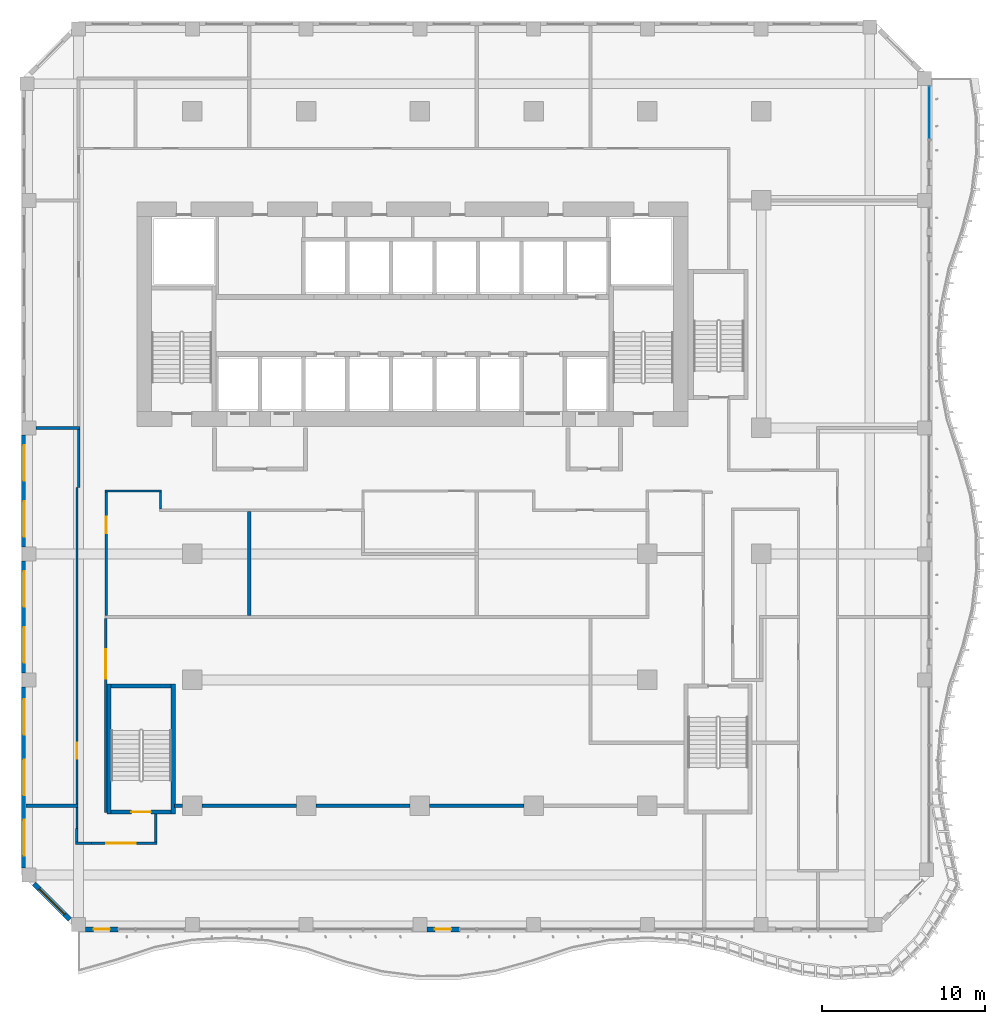
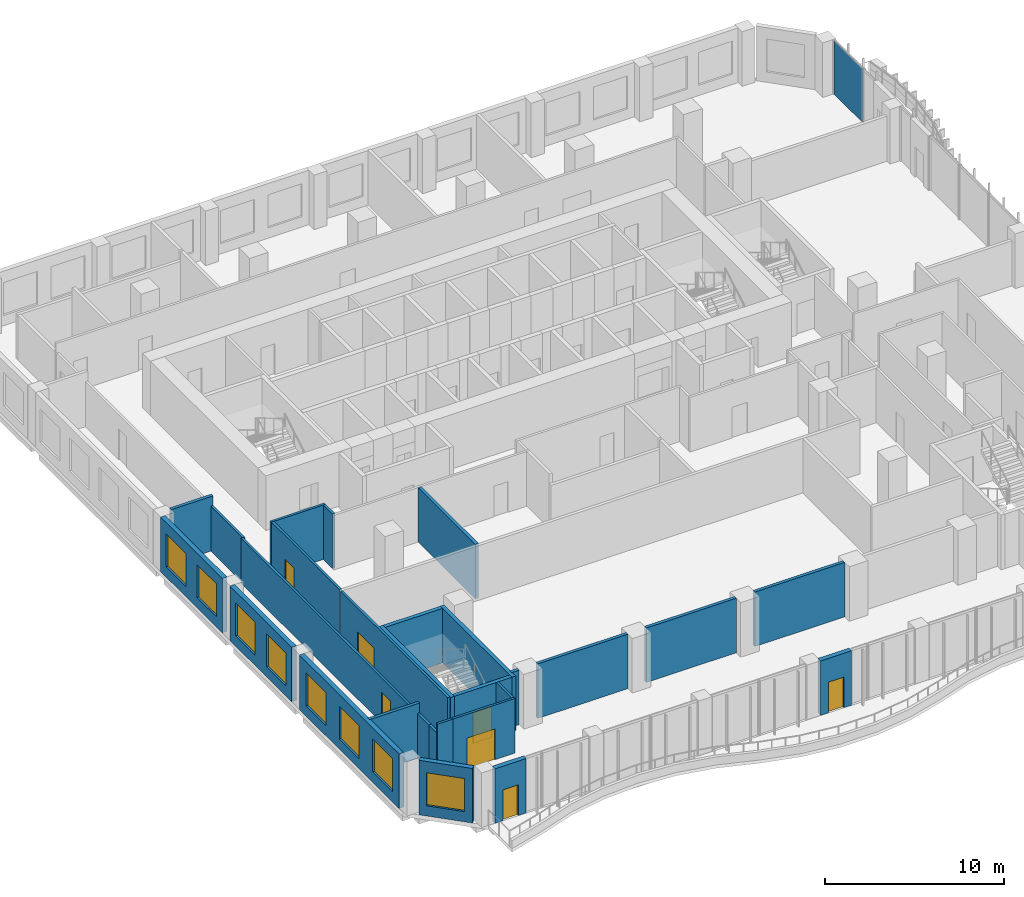
# One storey, part 12 of 27: 28 walls, 8 windows, 7 doors, 1 plate, 15 openings, 1 element without a shape of its own.
"""IFC4 building model written with IfcOpenShell, lengths in metres."""

from ifc_helpers import new_model, si_unit, direction, frame, frame_2d, origin, origin_2d, place, context, subcontext, project, spatial, rectangle, extrude, source, transform, mapped, material, layer, layer_set, type_object, element, fill, aggregate, save


model = new_model("IFC4")

# Units and contexts
model_context = context("Model", 3, precision=1e-05, world=origin(), true_north=direction((0.0, 1.0)))
body_context = subcontext(model_context, "Body", "Model", "MODEL_VIEW")
ifc_project = project(units=[si_unit("LENGTHUNIT", "METRE"), si_unit("AREAUNIT", "SQUARE_METRE"), si_unit("VOLUMEUNIT", "CUBIC_METRE"), si_unit("PLANEANGLEUNIT", "RADIAN"), si_unit("MASSUNIT", "GRAM", prefix="KILO")], contexts=[model_context])

# Site, building, storey
site_placement = place(None, origin())
site = spatial("IfcSite", under=ifc_project, at=site_placement, CompositionType="ELEMENT")
building_placement = place(site_placement, origin())
building = spatial("IfcBuilding", under=site, at=building_placement, Name="Kilnfold Tower and Market Hall", CompositionType="ELEMENT")
storey_placement = place(building_placement, frame((0.0, 0.0, 116.60009765625)))
storey = spatial("IfcBuildingStorey", under=building, at=storey_placement, Name="L27", CompositionType="ELEMENT", Elevation=116.60009765625)

# Curtain wall, plate
ifc_material_1 = material(Name="Aluminium and double glazing", Category="aluminium")
curtain_wall_type = type_object("IfcCurtainWallType", Name="CW OF2 VALLEY GLAZING", PredefinedType="NOTDEFINED", material=ifc_material_1)
curtain_wall_placement = place(storey_placement, origin())
curtain_wall = element("IfcCurtainWall", 1, at=curtain_wall_placement, inside=storey, type_object=curtain_wall_type, Name="Curtain wall CW2 L27 E", PredefinedType="NOTDEFINED")
ifc_material_2 = material(Name="Double glazed unit")
ifc_layer_1 = layer(ifc_material_2, 0.031982421875)
ifc_layer_set_1 = layer_set([ifc_layer_1], Name="Double glazed unit")
plate_type = type_object("IfcPlateType", Name="GLAZING PANEL 32", PredefinedType="CURTAIN_PANEL", material=ifc_layer_set_1)
shared_shape_1 = source(origin(), body_context, "Body", "SweptSolid", [
    extrude(rectangle(XDim=3.205078125, YDim=0.031982421875, at=origin_2d()), origin(), (0.0, 0.0, 1.0), 3.659912109375),
])
plate_placement = place(storey_placement, frame((32.85009765625, 27.41259765625, 0.0), z_axis=(0.0, 0.0, 1.0), x_axis=(0.0, 1.0, 0.0)))
plate = element("IfcPlate", 2, at=plate_placement, type_object=plate_type, Name="CW2 panel 1.1", PredefinedType="CURTAIN_PANEL", context=body_context, shape_type="MappedRepresentation", body=[
    mapped(shared_shape_1, transform((0.0, 0.0, 0.0))),
])
aggregate(curtain_wall, [plate])

# Wall, opening, door
ifc_material_3 = material(Name="Gypsum board on steel studs", Category="steel")
ifc_layer_2 = layer(ifc_material_3, 0.14990234375)
ifc_layer_set_2 = layer_set([ifc_layer_2], Name="Gypsum board on steel studs")
wall_type_1 = type_object("IfcWallType", Name="WALL CORRIDOR 150", PredefinedType="PARTITIONING", material=ifc_layer_set_2)
wall_1_placement = place(storey_placement, frame((-19.60009765625, -15.159912109375, 0.0), z_axis=(0.0, 0.0, 1.0), x_axis=(0.0, 1.0, 0.0)))
wall_1 = element("IfcWall", 3, at=wall_1_placement, inside=storey, type_object=wall_type_1, Name="Partition LY17.1", PredefinedType="PARTITIONING", context=body_context, shape_type="SweptSolid", body=[
    extrude(rectangle(XDim=19.510009765625, YDim=0.14990234375, at=frame_2d((9.7548828125, 0.0))), origin(), (0.0, 0.0, 1.0), 3.06982421875),
])
opening_1_placement = place(wall_1_placement, frame((2.801025390625, 0.0, 0.0)))
opening_1 = element("IfcOpeningElement", 4, at=opening_1_placement, cuts=wall_1, Name="Opening D1", PredefinedType="OPENING", context=body_context, shape_type="SweptSolid", body=[
    extrude(rectangle(XDim=1.0, YDim=2.10009765625, at=frame_2d((0.5, 1.050048828125))), frame((0.0, 0.0849609375, 0.0), z_axis=(0.0, -1.0, 0.0), x_axis=(1.0, 0.0, 0.0)), (0.0, 0.0, 1.0), 0.169921875),
])
ifc_material_4 = material(Name="Timber veneer door leaf in steel frame", Category="steel")
door_type_1 = type_object("IfcDoorType", Name="DOOR ENTRY 1000 X2100", OperationType="NOTDEFINED", PredefinedType="DOOR", material=ifc_material_4)
door_1_placement = place(opening_1_placement, origin())
door_1 = element("IfcDoor", 5, at=door_1_placement, inside=storey, type_object=door_type_1, Name="Door D1", OperationType="SINGLE_SWING_RIGHT", OverallHeight=2.10009765625, OverallWidth=1.0, PredefinedType="DOOR", context=body_context, shape_type="SweptSolid", body=[
    extrude(rectangle(XDim=1.0, YDim=2.10009765625, at=frame_2d((0.5, 1.050048828125))), frame((0.0, 0.02490234375, 0.0), z_axis=(0.0, -1.0, 0.0), x_axis=(1.0, 0.0, 0.0)), (0.0, 0.0, 1.0), 0.050048828125),
])
fill(opening_1, door_1)

# Walls
wall_2_placement = place(storey_placement, frame((-19.5, 4.35009765625, 0.0), z_axis=(0.0, 0.0, 1.0), x_axis=(0.0, 1.0, 0.0)))
element("IfcWall", 6, at=wall_2_placement, inside=storey, type_object=wall_type_1, Name="Partition LY17.2", PredefinedType="PARTITIONING", context=body_context, shape_type="SweptSolid", body=[
    extrude(rectangle(XDim=3.559814453125, YDim=0.14990234375, at=frame_2d((1.77978515625, 0.0))), origin(), (0.0, 0.0, 1.0), 3.06982421875),
])
wall_3_placement = place(storey_placement, frame((-14.4599609375, 4.050048828125, 0.0), z_axis=(0.0, 0.0, 1.0), x_axis=(0.0, -1.0, 0.0)))
element("IfcWall", 7, at=wall_3_placement, inside=storey, type_object=wall_type_1, Name="Partition LY17.4", PredefinedType="PARTITIONING", context=body_context, shape_type="SweptSolid", body=[
    extrude(rectangle(XDim=1.025146484375, YDim=0.14990234375, at=frame_2d((0.5126953125, 0.0))), origin(), (0.0, 0.0, 1.0), 3.719970703125),
])
wall_4_placement = place(storey_placement, frame((-17.875, 4.125, 0.0), z_axis=(0.0, 0.0, 1.0), x_axis=(1.0, 0.0, 0.0)))
element("IfcWall", 8, at=wall_4_placement, inside=storey, type_object=wall_type_1, Name="Partition LY17.5", PredefinedType="PARTITIONING", context=body_context, shape_type="SweptSolid", body=[
    extrude(rectangle(XDim=3.489990234375, YDim=0.14990234375, at=frame_2d((1.7451171875, 0.0))), origin(), (0.0, 0.0, 1.0), 3.719970703125),
])

# Wall, opening, door
wall_5_placement = place(storey_placement, frame((-17.800048828125, -3.534912109375, 0.0), z_axis=(0.0, 0.0, 1.0), x_axis=(0.0, 1.0, 0.0)))
wall_5 = element("IfcWall", 9, at=wall_5_placement, inside=storey, type_object=wall_type_1, Name="Partition LY17.6", PredefinedType="PARTITIONING", context=body_context, shape_type="SweptSolid", body=[
    extrude(rectangle(XDim=7.5849609375, YDim=0.14990234375, at=frame_2d((3.79248046875, 0.0))), origin(), (0.0, 0.0, 1.0), 3.719970703125),
])
opening_2_placement = place(wall_5_placement, frame((5.06689453125, 0.0, 0.0)))
opening_2 = element("IfcOpeningElement", 10, at=opening_2_placement, cuts=wall_5, Name="Opening D1", PredefinedType="OPENING", context=body_context, shape_type="SweptSolid", body=[
    extrude(rectangle(XDim=1.0, YDim=2.10009765625, at=frame_2d((0.5, 1.050048828125))), frame((0.0, 0.0849609375, 0.0), z_axis=(0.0, -1.0, 0.0), x_axis=(1.0, 0.0, 0.0)), (0.0, 0.0, 1.0), 0.169921875),
])
door_2_placement = place(opening_2_placement, origin())
door_2 = element("IfcDoor", 11, at=door_2_placement, inside=storey, type_object=door_type_1, Name="Door D1", OperationType="SINGLE_SWING_LEFT", OverallHeight=2.10009765625, OverallWidth=1.0, PredefinedType="DOOR", context=body_context, shape_type="SweptSolid", body=[
    extrude(rectangle(XDim=1.0, YDim=2.10009765625, at=frame_2d((0.5, 1.050048828125))), frame((0.0, 0.02490234375, 0.0), z_axis=(0.0, -1.0, 0.0), x_axis=(1.0, 0.0, 0.0)), (0.0, 0.0, 1.0), 0.050048828125),
])
fill(opening_2, door_2)

wall_6_placement = place(storey_placement, frame((-17.830078125, -15.675048828125, 0.0), z_axis=(0.0, 0.0, 1.0), x_axis=(0.0, 1.0, 0.0)))
wall_6 = element("IfcWall", 12, at=wall_6_placement, inside=storey, type_object=wall_type_1, Name="Partition LY17.7", PredefinedType="PARTITIONING", context=body_context, shape_type="SweptSolid", body=[
    extrude(rectangle(XDim=11.9599609375, YDim=0.14990234375, at=frame_2d((5.97998046875, 0.0))), origin(), (0.0, 0.0, 1.0), 3.719970703125),
])
opening_3_placement = place(wall_6_placement, frame((8.2490234375, 0.0, 0.0)))
opening_3 = element("IfcOpeningElement", 13, at=opening_3_placement, cuts=wall_6, Name="Opening D5", PredefinedType="OPENING", context=body_context, shape_type="SweptSolid", body=[
    extrude(rectangle(XDim=1.800048828125, YDim=2.10009765625, at=frame_2d((0.89990234375, 1.050048828125))), frame((0.0, 0.0849609375, 0.0), z_axis=(0.0, -1.0, 0.0), x_axis=(1.0, 0.0, 0.0)), (0.0, 0.0, 1.0), 0.169921875),
])
ifc_material_5 = material(Name="Timber veneer door leaf in steel frame", Category="steel")
door_type_2 = type_object("IfcDoorType", Name="DOOR DOUBLE 1800 X2100", OperationType="NOTDEFINED", PredefinedType="DOOR", material=ifc_material_5)
door_3_placement = place(opening_3_placement, origin())
door_3 = element("IfcDoor", 14, at=door_3_placement, inside=storey, type_object=door_type_2, Name="Door D5", OperationType="DOUBLE_DOOR_SINGLE_SWING", OverallHeight=2.10009765625, OverallWidth=1.800048828125, PredefinedType="DOOR", context=body_context, shape_type="SweptSolid", body=[
    extrude(rectangle(XDim=1.800048828125, YDim=2.10009765625, at=frame_2d((0.89990234375, 1.050048828125))), frame((0.0, 0.02490234375, 0.0), z_axis=(0.0, -1.0, 0.0), x_axis=(1.0, 0.0, 0.0)), (0.0, 0.0, 1.0), 0.050048828125),
])
fill(opening_3, door_3)

# Walls
wall_7_placement = place(storey_placement, frame((-19.60009765625, -16.64794921875, 0.0), z_axis=(0.0, 0.0, 1.0), x_axis=(0.0, 1.0, 0.0)))
element("IfcWall", 15, at=wall_7_placement, inside=storey, type_object=wall_type_1, Name="Partition LY17.8", PredefinedType="PARTITIONING", context=body_context, shape_type="SweptSolid", body=[
    extrude(rectangle(XDim=1.307861328125, YDim=0.14990234375, at=frame_2d((0.65380859375, 0.0))), origin(), (0.0, 0.0, 1.0), 3.06982421875),
])
wall_8_placement = place(storey_placement, frame((-14.75, -17.47509765625, 0.0), z_axis=(0.0, 0.0, 1.0), x_axis=(0.0, 1.0, 0.0)))
element("IfcWall", 16, at=wall_8_placement, inside=storey, type_object=wall_type_1, Name="Partition LY17.9", PredefinedType="PARTITIONING", context=body_context, shape_type="SweptSolid", body=[
    extrude(rectangle(XDim=1.72509765625, YDim=0.14990234375, at=frame_2d((0.862548828125, 0.0))), origin(), (0.0, 0.0, 1.0), 3.719970703125),
])

# Wall, opening, door
wall_9_placement = place(storey_placement, frame((-18.697998046875, -17.550048828125, 0.0), z_axis=(0.0, 0.0, 1.0), x_axis=(1.0, 0.0, 0.0)))
wall_9 = element("IfcWall", 17, at=wall_9_placement, inside=storey, type_object=wall_type_1, Name="Partition LY17.10", PredefinedType="PARTITIONING", context=body_context, shape_type="SweptSolid", body=[
    extrude(rectangle(XDim=4.02294921875, YDim=0.14990234375, at=frame_2d((2.011474609375, 0.0))), origin(), (0.0, 0.0, 1.0), 3.719970703125),
])
opening_4_placement = place(wall_9_placement, frame((0.908935546875, 0.0, 0.0)))
opening_4 = element("IfcOpeningElement", 18, at=opening_4_placement, cuts=wall_9, Name="Opening D5", PredefinedType="OPENING", context=body_context, shape_type="SweptSolid", body=[
    extrude(rectangle(XDim=1.800048828125, YDim=2.10009765625, at=frame_2d((0.89990234375, 1.050048828125))), frame((0.0, 0.0849609375, 0.0), z_axis=(0.0, -1.0, 0.0), x_axis=(1.0, 0.0, 0.0)), (0.0, 0.0, 1.0), 0.169921875),
])
door_4_placement = place(opening_4_placement, origin())
door_4 = element("IfcDoor", 19, at=door_4_placement, inside=storey, type_object=door_type_2, Name="Door D5", OperationType="DOUBLE_DOOR_SINGLE_SWING", OverallHeight=2.10009765625, OverallWidth=1.800048828125, PredefinedType="DOOR", context=body_context, shape_type="SweptSolid", body=[
    extrude(rectangle(XDim=1.800048828125, YDim=2.10009765625, at=frame_2d((0.89990234375, 1.050048828125))), frame((0.0, 0.02490234375, 0.0), z_axis=(0.0, -1.0, 0.0), x_axis=(1.0, 0.0, 0.0)), (0.0, 0.0, 1.0), 0.050048828125),
])
fill(opening_4, door_4)

# Walls
wall_10_placement = place(storey_placement, frame((-19.677001953125, -17.552001953125, 0.0), z_axis=(0.0, 0.0, 1.0), x_axis=(1.0, 0.0, 0.0)))
element("IfcWall", 20, at=wall_10_placement, inside=storey, type_object=wall_type_1, Name="Partition LY17.11", PredefinedType="PARTITIONING", context=body_context, shape_type="SweptSolid", body=[
    extrude(rectangle(XDim=0.97900390625, YDim=0.14990234375, at=frame_2d((0.489501953125, 0.0))), origin(), (0.0, 0.0, 1.0), 3.719970703125),
])
wall_11_placement = place(storey_placement, frame((-19.60205078125, -16.64794921875, 0.0), z_axis=(0.0, 0.0, 1.0), x_axis=(0.0, -1.0, 0.0)))
element("IfcWall", 21, at=wall_11_placement, inside=storey, type_object=wall_type_1, Name="Partition LY17.12", PredefinedType="PARTITIONING", context=body_context, shape_type="SweptSolid", body=[
    extrude(rectangle(XDim=0.8291015625, YDim=0.14990234375, at=frame_2d((0.41455078125, 0.0))), origin(), (0.0, 0.0, 1.0), 3.06982421875),
])
ifc_material_6 = material(Name="Gypsum board on steel studs", Category="steel")
ifc_layer_3 = layer(ifc_material_6, 0.199951171875)
ifc_layer_set_3 = layer_set([ifc_layer_3], Name="Gypsum board on steel studs")
wall_type_2 = type_object("IfcWallType", Name="WALL PARTY 200", PredefinedType="PARTITIONING", material=ifc_layer_set_3)
wall_12_placement = place(storey_placement, frame((-22.75, -15.25, 0.0), z_axis=(0.0, 0.0, 1.0), x_axis=(1.0, 0.0, 0.0)))
element("IfcWall", 22, at=wall_12_placement, inside=storey, type_object=wall_type_2, Name="Partition LY17.38", PredefinedType="PARTITIONING", context=body_context, shape_type="SweptSolid", body=[
    extrude(rectangle(XDim=3.22412109375, YDim=0.199951171875, at=frame_2d((1.612060546875, 0.0))), origin(), (0.0, 0.0, 1.0), 3.719970703125),
])
wall_13_placement = place(storey_placement, frame((-22.125, 8.0, 0.0), z_axis=(0.0, 0.0, 1.0), x_axis=(1.0, 0.0, 0.0)))
element("IfcWall", 23, at=wall_13_placement, inside=storey, type_object=wall_type_2, Name="Partition LY17.39", PredefinedType="PARTITIONING", context=body_context, shape_type="SweptSolid", body=[
    extrude(rectangle(XDim=2.698974609375, YDim=0.199951171875, at=frame_2d((1.349609375, 0.0))), origin(), (0.0, 0.0, 1.0), 3.719970703125),
])
wall_14_placement = place(storey_placement, frame((-9.0, -3.52490234375, 0.0), z_axis=(0.0, 0.0, 1.0), x_axis=(0.0, 1.0, 0.0)))
element("IfcWall", 24, at=wall_14_placement, inside=storey, type_object=wall_type_2, Name="Partition LY17.41", PredefinedType="PARTITIONING", context=body_context, shape_type="SweptSolid", body=[
    extrude(rectangle(XDim=6.39892578125, YDim=0.199951171875, at=frame_2d((3.199462890625, 0.0))), origin(), (0.0, 0.0, 1.0), 3.719970703125),
])
for number, where, z_axis, x_axis, name in (
    (25, (2.10009765625, -15.25, 0.0), (0.0, 0.0, 1.0), (1.0, 0.0, 0.0), "Partition LY17.44"),
    (26, (-4.89990234375, -15.25, 0.0), (0.0, 0.0, 1.0), (1.0, 0.0, 0.0), "Partition LY17.45"),
    (27, (-11.89990234375, -15.25, 0.0), (0.0, 0.0, 1.0), (1.0, 0.0, 0.0), "Partition LY17.46"),
):
    element("IfcWall", number, at=place(storey_placement, frame(where, z_axis=z_axis, x_axis=x_axis)), inside=storey, type_object=wall_type_2, Name=name, PredefinedType="PARTITIONING", context=body_context, shape_type="SweptSolid", body=[
        extrude(rectangle(XDim=5.7998046875, YDim=0.199951171875, at=frame_2d((2.89990234375, 0.0))), origin(), (0.0, 0.0, 1.0), 3.719970703125),
    ])
wall_15_placement = place(storey_placement, frame((-13.60009765625, -15.25, 0.0), z_axis=(0.0, 0.0, 1.0), x_axis=(1.0, 0.0, 0.0)))
element("IfcWall", 28, at=wall_15_placement, inside=storey, type_object=wall_type_2, Name="Partition LY17.47", PredefinedType="PARTITIONING", context=body_context, shape_type="SweptSolid", body=[
    extrude(rectangle(XDim=0.5, YDim=0.199951171875, at=frame_2d((0.25, 0.0))), origin(), (0.0, 0.0, 1.0), 3.719970703125),
])

# Wall, opening, door
ifc_material_7 = material(Name="Concrete C70", Category="concrete")
ifc_layer_4 = layer(ifc_material_7, 0.25)
ifc_layer_set_4 = layer_set([ifc_layer_4], Name="Concrete C70")
wall_type_3 = type_object("IfcWallType", Name="CORE WALL 250 C70", PredefinedType="SHEAR", material=ifc_layer_set_4)
shared_shape_2 = source(origin(), body_context, "Body", "SweptSolid", [
    extrude(rectangle(XDim=3.699951171875, YDim=0.25, at=frame_2d((1.85009765625, 0.0))), origin(), (0.0, 0.0, 1.0), 3.719970703125),
])
wall_16_placement = place(storey_placement, frame((-17.5, -15.625, 0.0), z_axis=(0.0, 0.0, 1.0), x_axis=(1.0, 0.0, 0.0)))
wall_16 = element("IfcWall", 29, at=wall_16_placement, inside=storey, type_object=wall_type_3, Name="Stair enclosure ST3", PredefinedType="SHEAR", context=body_context, shape_type="MappedRepresentation", body=[
    mapped(shared_shape_2, transform((0.0, 0.0, 0.0))),
])
opening_5_placement = place(wall_16_placement, frame((1.25, 0.0, 0.0)))
opening_5 = element("IfcOpeningElement", 30, at=opening_5_placement, cuts=wall_16, Name="Opening SD1", PredefinedType="OPENING", context=body_context, shape_type="SweptSolid", body=[
    extrude(rectangle(XDim=1.199951171875, YDim=2.10009765625, at=frame_2d((0.60009765625, 1.050048828125))), frame((0.0, 0.135009765625, 0.0), z_axis=(0.0, -1.0, 0.0), x_axis=(1.0, 0.0, 0.0)), (0.0, 0.0, 1.0), 0.27001953125),
])
ifc_material_8 = material(Name="Steel door set with fire-resisting leaf", Category="steel")
door_type_3 = type_object("IfcDoorType", Name="STAIR FLOOR DOOR 1200X2100", OperationType="NOTDEFINED", PredefinedType="DOOR", material=ifc_material_8)
door_5_placement = place(opening_5_placement, origin())
door_5 = element("IfcDoor", 31, at=door_5_placement, inside=storey, type_object=door_type_3, Name="Exit stair ST3 door", OperationType="DOUBLE_DOOR_SINGLE_SWING", OverallHeight=2.10009765625, OverallWidth=1.199951171875, PredefinedType="DOOR", context=body_context, shape_type="SweptSolid", body=[
    extrude(rectangle(XDim=1.199951171875, YDim=2.10009765625, at=frame_2d((0.60009765625, 1.050048828125))), frame((0.0, 0.02490234375, 0.0), z_axis=(0.0, -1.0, 0.0), x_axis=(1.0, 0.0, 0.0)), (0.0, 0.0, 1.0), 0.050048828125),
])
fill(opening_5, door_5)

# Walls
wall_17_placement = place(storey_placement, frame((-17.5, -7.875, 0.0), z_axis=(0.0, 0.0, 1.0), x_axis=(1.0, 0.0, 0.0)))
element("IfcWall", 32, at=wall_17_placement, inside=storey, type_object=wall_type_3, Name="Stair enclosure ST3", PredefinedType="SHEAR", context=body_context, shape_type="MappedRepresentation", body=[
    mapped(shared_shape_2, transform((0.0, 0.0, 0.0))),
])
shared_shape_3 = source(origin(), body_context, "Body", "SweptSolid", [
    extrude(rectangle(XDim=8.0, YDim=0.25, at=frame_2d((4.0, 0.0))), origin(), (0.0, 0.0, 1.0), 3.719970703125),
])
for number, where, z_axis, x_axis, name in (
    (33, (-17.625, -15.75, 0.0), (0.0, 0.0, 1.0), (0.0, 1.0, 0.0), "Stair enclosure ST3"),
    (34, (-13.675048828125, -15.75, 0.0), (0.0, 0.0, 1.0), (0.0, 1.0, 0.0), "Stair enclosure ST3"),
):
    element("IfcWall", number, at=place(storey_placement, frame(where, z_axis=z_axis, x_axis=x_axis)), inside=storey, type_object=wall_type_3, Name=name, PredefinedType="SHEAR", context=body_context, shape_type="MappedRepresentation", body=[
        mapped(shared_shape_3, transform((0.0, 0.0, 0.0))),
    ])

# Wall, opening, door
ifc_material_9 = material(Name="Precast concrete C50/60", Category="concrete")
ifc_layer_5 = layer(ifc_material_9, 0.300048828125)
ifc_layer_set_5 = layer_set([ifc_layer_5], Name="Precast concrete C50/60")
wall_type_4 = type_object("IfcWallType", Name="PRECAST WALL 300", PredefinedType="SOLIDWALL", material=ifc_layer_set_5)
shared_shape_4 = source(origin(), body_context, "Body", "SweptSolid", [
    extrude(rectangle(XDim=2.0, YDim=0.300048828125, at=frame_2d((1.0, 0.0))), origin(), (0.0, 0.0, 1.0), 3.719970703125),
])
wall_18_placement = place(storey_placement, frame((-19.074951171875, -22.85009765625, 0.0), z_axis=(0.0, 0.0, 1.0), x_axis=(1.0, 0.0, 0.0)))
wall_18 = element("IfcWall", 35, at=wall_18_placement, inside=storey, type_object=wall_type_4, Name="External wall L27 S", PredefinedType="SOLIDWALL", context=body_context, shape_type="MappedRepresentation", body=[
    mapped(shared_shape_4, transform((0.0, 0.0, 0.0))),
])
opening_6_placement = place(wall_18_placement, frame((0.5, 0.0, 0.0)))
opening_6 = element("IfcOpeningElement", 36, at=opening_6_placement, cuts=wall_18, Name="Opening BD1", PredefinedType="OPENING", context=body_context, shape_type="SweptSolid", body=[
    extrude(rectangle(XDim=1.0, YDim=2.10009765625, at=frame_2d((0.5, 1.050048828125))), frame((0.0, 0.16015625, 0.0), z_axis=(0.0, -1.0, 0.0), x_axis=(1.0, 0.0, 0.0)), (0.0, 0.0, 1.0), 0.320068359375),
])
ifc_material_10 = material(Name="Aluminium frame and double glazing", Category="aluminium")
door_type_4 = type_object("IfcDoorType", Name="BALCONY DOOR 1000X2100", OperationType="NOTDEFINED", PredefinedType="DOOR", material=ifc_material_10)
door_6_placement = place(opening_6_placement, origin())
door_6 = element("IfcDoor", 37, at=door_6_placement, inside=storey, type_object=door_type_4, Name="Balcony door BD1 L27 S-1", OperationType="SINGLE_SWING_LEFT", OverallHeight=2.10009765625, OverallWidth=1.0, PredefinedType="DOOR", context=body_context, shape_type="SweptSolid", body=[
    extrude(rectangle(XDim=1.0, YDim=2.10009765625, at=frame_2d((0.5, 1.050048828125))), frame((0.0, 0.02490234375, 0.0), z_axis=(0.0, -1.0, 0.0), x_axis=(1.0, 0.0, 0.0)), (0.0, 0.0, 1.0), 0.050048828125),
])
fill(opening_6, door_6)

wall_19_placement = place(storey_placement, frame((1.925048828125, -22.85009765625, 0.0), z_axis=(0.0, 0.0, 1.0), x_axis=(1.0, 0.0, 0.0)))
wall_19 = element("IfcWall", 38, at=wall_19_placement, inside=storey, type_object=wall_type_4, Name="External wall L27 S", PredefinedType="SOLIDWALL", context=body_context, shape_type="MappedRepresentation", body=[
    mapped(shared_shape_4, transform((0.0, 0.0, 0.0))),
])
opening_7_placement = place(wall_19_placement, frame((0.5, 0.0, 0.0)))
opening_7 = element("IfcOpeningElement", 39, at=opening_7_placement, cuts=wall_19, Name="Opening BD1", PredefinedType="OPENING", context=body_context, shape_type="SweptSolid", body=[
    extrude(rectangle(XDim=1.0, YDim=2.10009765625, at=frame_2d((0.5, 1.050048828125))), frame((0.0, 0.16015625, 0.0), z_axis=(0.0, -1.0, 0.0), x_axis=(1.0, 0.0, 0.0)), (0.0, 0.0, 1.0), 0.320068359375),
])
door_7_placement = place(opening_7_placement, origin())
door_7 = element("IfcDoor", 40, at=door_7_placement, inside=storey, type_object=door_type_4, Name="Balcony door BD1 L27 S-1", OperationType="SINGLE_SWING_LEFT", OverallHeight=2.10009765625, OverallWidth=1.0, PredefinedType="DOOR", context=body_context, shape_type="SweptSolid", body=[
    extrude(rectangle(XDim=1.0, YDim=2.10009765625, at=frame_2d((0.5, 1.050048828125))), frame((0.0, 0.02490234375, 0.0), z_axis=(0.0, -1.0, 0.0), x_axis=(1.0, 0.0, 0.0)), (0.0, 0.0, 1.0), 0.050048828125),
])
fill(opening_7, door_7)

# Wall, openings, windows
shared_shape_5 = source(origin(), body_context, "Body", "SweptSolid", [
    extrude(rectangle(XDim=6.89990234375, YDim=0.300048828125, at=frame_2d((3.449951171875, 0.0))), origin(), (0.0, 0.0, 1.0), 3.719970703125),
])
wall_20_placement = place(storey_placement, frame((-22.85009765625, 7.574951171875, 0.0), z_axis=(0.0, 0.0, 1.0), x_axis=(0.0, -1.0, 0.0)))
wall_20 = element("IfcWall", 41, at=wall_20_placement, inside=storey, type_object=wall_type_4, Name="External wall L27 W", PredefinedType="SOLIDWALL", context=body_context, shape_type="MappedRepresentation", body=[
    mapped(shared_shape_5, transform((0.0, 0.0, 0.0))),
])
opening_8_placement = place(wall_20_placement, frame((0.625, 0.0, 0.699951171875)))
opening_8 = element("IfcOpeningElement", 42, at=opening_8_placement, cuts=wall_20, Name="Opening W1", PredefinedType="OPENING", context=body_context, shape_type="SweptSolid", body=[
    extrude(rectangle(XDim=2.199951171875, YDim=2.25, at=frame_2d((1.10009765625, 1.125))), frame((0.0, 0.16015625, 0.0), z_axis=(0.0, -1.0, 0.0), x_axis=(1.0, 0.0, 0.0)), (0.0, 0.0, 1.0), 0.320068359375),
])
opening_9_placement = place(wall_20_placement, frame((4.074951171875, 0.0, 0.699951171875)))
opening_9 = element("IfcOpeningElement", 43, at=opening_9_placement, cuts=wall_20, Name="Opening W1", PredefinedType="OPENING", context=body_context, shape_type="SweptSolid", body=[
    extrude(rectangle(XDim=2.199951171875, YDim=2.25, at=frame_2d((1.10009765625, 1.125))), frame((0.0, 0.16015625, 0.0), z_axis=(0.0, -1.0, 0.0), x_axis=(1.0, 0.0, 0.0)), (0.0, 0.0, 1.0), 0.320068359375),
])
ifc_material_11 = material(Name="Aluminium frame and double glazing", Category="aluminium")
window_type = type_object("IfcWindowType", Name="WINDOW W1 2200X2250", PartitioningType="SINGLE_PANEL", PredefinedType="WINDOW", material=ifc_material_11)
window_1_placement = place(opening_8_placement, origin())
window_1 = element("IfcWindow", 44, at=window_1_placement, inside=storey, type_object=window_type, Name="Window W1 L27 W-1", OverallHeight=2.25, OverallWidth=2.199951171875, PartitioningType="SINGLE_PANEL", PredefinedType="WINDOW", context=body_context, shape_type="SweptSolid", body=[
    extrude(rectangle(XDim=2.199951171875, YDim=2.25, at=frame_2d((1.10009765625, 1.125))), frame((0.0, 0.030029296875, 0.0), z_axis=(0.0, -1.0, 0.0), x_axis=(1.0, 0.0, 0.0)), (0.0, 0.0, 1.0), 0.06005859375),
])
fill(opening_8, window_1)
window_2_placement = place(opening_9_placement, origin())
window_2 = element("IfcWindow", 45, at=window_2_placement, inside=storey, type_object=window_type, Name="Window W1 L27 W-2", OverallHeight=2.25, OverallWidth=2.199951171875, PartitioningType="SINGLE_PANEL", PredefinedType="WINDOW", context=body_context, shape_type="SweptSolid", body=[
    extrude(rectangle(XDim=2.199951171875, YDim=2.25, at=frame_2d((1.10009765625, 1.125))), frame((0.0, 0.030029296875, 0.0), z_axis=(0.0, -1.0, 0.0), x_axis=(1.0, 0.0, 0.0)), (0.0, 0.0, 1.0), 0.06005859375),
])
fill(opening_9, window_2)

wall_21_placement = place(storey_placement, frame((-22.85009765625, -0.175048828125, 0.0), z_axis=(0.0, 0.0, 1.0), x_axis=(0.0, -1.0, 0.0)))
wall_21 = element("IfcWall", 46, at=wall_21_placement, inside=storey, type_object=wall_type_4, Name="External wall L27 W", PredefinedType="SOLIDWALL", context=body_context, shape_type="MappedRepresentation", body=[
    mapped(shared_shape_5, transform((0.0, 0.0, 0.0))),
])
opening_10_placement = place(wall_21_placement, frame((0.625, 0.0, 0.699951171875)))
opening_10 = element("IfcOpeningElement", 47, at=opening_10_placement, cuts=wall_21, Name="Opening W1", PredefinedType="OPENING", context=body_context, shape_type="SweptSolid", body=[
    extrude(rectangle(XDim=2.199951171875, YDim=2.25, at=frame_2d((1.10009765625, 1.125))), frame((0.0, 0.16015625, 0.0), z_axis=(0.0, -1.0, 0.0), x_axis=(1.0, 0.0, 0.0)), (0.0, 0.0, 1.0), 0.320068359375),
])
opening_11_placement = place(wall_21_placement, frame((4.074951171875, 0.0, 0.699951171875)))
opening_11 = element("IfcOpeningElement", 48, at=opening_11_placement, cuts=wall_21, Name="Opening W1", PredefinedType="OPENING", context=body_context, shape_type="SweptSolid", body=[
    extrude(rectangle(XDim=2.199951171875, YDim=2.25, at=frame_2d((1.10009765625, 1.125))), frame((0.0, 0.16015625, 0.0), z_axis=(0.0, -1.0, 0.0), x_axis=(1.0, 0.0, 0.0)), (0.0, 0.0, 1.0), 0.320068359375),
])
window_3_placement = place(opening_10_placement, origin())
window_3 = element("IfcWindow", 49, at=window_3_placement, inside=storey, type_object=window_type, Name="Window W1 L27 W-1", OverallHeight=2.25, OverallWidth=2.199951171875, PartitioningType="SINGLE_PANEL", PredefinedType="WINDOW", context=body_context, shape_type="SweptSolid", body=[
    extrude(rectangle(XDim=2.199951171875, YDim=2.25, at=frame_2d((1.10009765625, 1.125))), frame((0.0, 0.030029296875, 0.0), z_axis=(0.0, -1.0, 0.0), x_axis=(1.0, 0.0, 0.0)), (0.0, 0.0, 1.0), 0.06005859375),
])
fill(opening_10, window_3)
window_4_placement = place(opening_11_placement, origin())
window_4 = element("IfcWindow", 50, at=window_4_placement, inside=storey, type_object=window_type, Name="Window W1 L27 W-2", OverallHeight=2.25, OverallWidth=2.199951171875, PartitioningType="SINGLE_PANEL", PredefinedType="WINDOW", context=body_context, shape_type="SweptSolid", body=[
    extrude(rectangle(XDim=2.199951171875, YDim=2.25, at=frame_2d((1.10009765625, 1.125))), frame((0.0, 0.030029296875, 0.0), z_axis=(0.0, -1.0, 0.0), x_axis=(1.0, 0.0, 0.0)), (0.0, 0.0, 1.0), 0.06005859375),
])
fill(opening_11, window_4)

shared_shape_6 = source(origin(), body_context, "Body", "SweptSolid", [
    extrude(rectangle(XDim=11.14990234375, YDim=0.300048828125, at=frame_2d((5.574951171875, 0.0))), origin(), (0.0, 0.0, 1.0), 3.719970703125),
])
wall_22_placement = place(storey_placement, frame((-22.85009765625, -7.925048828125, 0.0), z_axis=(0.0, 0.0, 1.0), x_axis=(0.0, -1.0, 0.0)))
wall_22 = element("IfcWall", 51, at=wall_22_placement, inside=storey, type_object=wall_type_4, Name="External wall L27 W", PredefinedType="SOLIDWALL", context=body_context, shape_type="MappedRepresentation", body=[
    mapped(shared_shape_6, transform((0.0, 0.0, 0.0))),
])
opening_12_placement = place(wall_22_placement, frame((0.75830078125, 0.0, 0.699951171875)))
opening_12 = element("IfcOpeningElement", 52, at=opening_12_placement, cuts=wall_22, Name="Opening W1", PredefinedType="OPENING", context=body_context, shape_type="SweptSolid", body=[
    extrude(rectangle(XDim=2.199951171875, YDim=2.25, at=frame_2d((1.10009765625, 1.125))), frame((0.0, 0.16015625, 0.0), z_axis=(0.0, -1.0, 0.0), x_axis=(1.0, 0.0, 0.0)), (0.0, 0.0, 1.0), 0.320068359375),
])
opening_13_placement = place(wall_22_placement, frame((4.47509765625, 0.0, 0.699951171875)))
opening_13 = element("IfcOpeningElement", 53, at=opening_13_placement, cuts=wall_22, Name="Opening W1", PredefinedType="OPENING", context=body_context, shape_type="SweptSolid", body=[
    extrude(rectangle(XDim=2.199951171875, YDim=2.25, at=frame_2d((1.10009765625, 1.125))), frame((0.0, 0.16015625, 0.0), z_axis=(0.0, -1.0, 0.0), x_axis=(1.0, 0.0, 0.0)), (0.0, 0.0, 1.0), 0.320068359375),
])
opening_14_placement = place(wall_22_placement, frame((8.191650390625, 0.0, 0.699951171875)))
opening_14 = element("IfcOpeningElement", 54, at=opening_14_placement, cuts=wall_22, Name="Opening W1", PredefinedType="OPENING", context=body_context, shape_type="SweptSolid", body=[
    extrude(rectangle(XDim=2.199951171875, YDim=2.25, at=frame_2d((1.10009765625, 1.125))), frame((0.0, 0.16015625, 0.0), z_axis=(0.0, -1.0, 0.0), x_axis=(1.0, 0.0, 0.0)), (0.0, 0.0, 1.0), 0.320068359375),
])
window_5_placement = place(opening_12_placement, origin())
window_5 = element("IfcWindow", 55, at=window_5_placement, inside=storey, type_object=window_type, Name="Window W1 L27 W-1", OverallHeight=2.25, OverallWidth=2.199951171875, PartitioningType="SINGLE_PANEL", PredefinedType="WINDOW", context=body_context, shape_type="SweptSolid", body=[
    extrude(rectangle(XDim=2.199951171875, YDim=2.25, at=frame_2d((1.10009765625, 1.125))), frame((0.0, 0.030029296875, 0.0), z_axis=(0.0, -1.0, 0.0), x_axis=(1.0, 0.0, 0.0)), (0.0, 0.0, 1.0), 0.06005859375),
])
fill(opening_12, window_5)
window_6_placement = place(opening_13_placement, origin())
window_6 = element("IfcWindow", 56, at=window_6_placement, inside=storey, type_object=window_type, Name="Window W1 L27 W-2", OverallHeight=2.25, OverallWidth=2.199951171875, PartitioningType="SINGLE_PANEL", PredefinedType="WINDOW", context=body_context, shape_type="SweptSolid", body=[
    extrude(rectangle(XDim=2.199951171875, YDim=2.25, at=frame_2d((1.10009765625, 1.125))), frame((0.0, 0.030029296875, 0.0), z_axis=(0.0, -1.0, 0.0), x_axis=(1.0, 0.0, 0.0)), (0.0, 0.0, 1.0), 0.06005859375),
])
fill(opening_13, window_6)
window_7_placement = place(opening_14_placement, origin())
window_7 = element("IfcWindow", 57, at=window_7_placement, inside=storey, type_object=window_type, Name="Window W1 L27 W-3", OverallHeight=2.25, OverallWidth=2.199951171875, PartitioningType="SINGLE_PANEL", PredefinedType="WINDOW", context=body_context, shape_type="SweptSolid", body=[
    extrude(rectangle(XDim=2.199951171875, YDim=2.25, at=frame_2d((1.10009765625, 1.125))), frame((0.0, 0.030029296875, 0.0), z_axis=(0.0, -1.0, 0.0), x_axis=(1.0, 0.0, 0.0)), (0.0, 0.0, 1.0), 0.06005859375),
])
fill(opening_14, window_7)

# Wall, opening, window
shared_shape_7 = source(origin(), body_context, "Body", "SweptSolid", [
    extrude(rectangle(XDim=3.111083984375, YDim=0.300048828125, at=frame_2d((1.5556640625, 0.0))), origin(), (0.0, 0.0, 1.0), 3.719970703125),
])
wall_23_placement = place(storey_placement, frame((-22.243896484375, -20.0439453125, 0.0), z_axis=(0.0, 0.0, 1.0), x_axis=(0.707106781187, -0.707106781187, 0.0)))
wall_23 = element("IfcWall", 58, at=wall_23_placement, inside=storey, type_object=wall_type_4, Name="External wall L27 SW", PredefinedType="SOLIDWALL", context=body_context, shape_type="MappedRepresentation", body=[
    mapped(shared_shape_7, transform((0.0, 0.0, 0.0))),
])
opening_15_placement = place(wall_23_placement, frame((0.45556640625, 0.0, 0.699951171875)))
opening_15 = element("IfcOpeningElement", 59, at=opening_15_placement, cuts=wall_23, Name="Opening W1", PredefinedType="OPENING", context=body_context, shape_type="SweptSolid", body=[
    extrude(rectangle(XDim=2.199951171875, YDim=2.25, at=frame_2d((1.10009765625, 1.125))), frame((0.0, 0.16015625, 0.0), z_axis=(0.0, -1.0, 0.0), x_axis=(1.0, 0.0, 0.0)), (0.0, 0.0, 1.0), 0.320068359375),
])
window_8_placement = place(opening_15_placement, origin())
window_8 = element("IfcWindow", 60, at=window_8_placement, inside=storey, type_object=window_type, Name="Window W1 L27 SW-1", OverallHeight=2.25, OverallWidth=2.199951171875, PartitioningType="SINGLE_PANEL", PredefinedType="WINDOW", context=body_context, shape_type="SweptSolid", body=[
    extrude(rectangle(XDim=2.199951171875, YDim=2.25, at=frame_2d((1.10009765625, 1.125))), frame((0.0, 0.030029296875, 0.0), z_axis=(0.0, -1.0, 0.0), x_axis=(1.0, 0.0, 0.0)), (0.0, 0.0, 1.0), 0.06005859375),
])
fill(opening_15, window_8)

save(model, "model.ifc")
